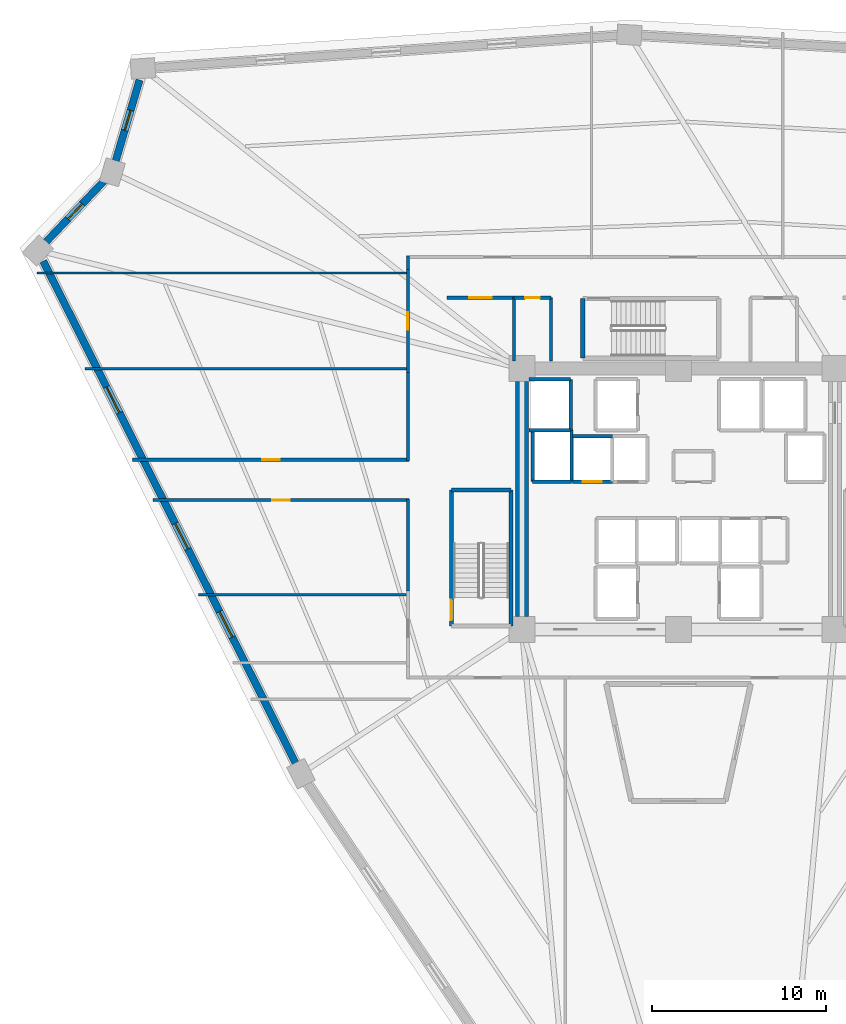
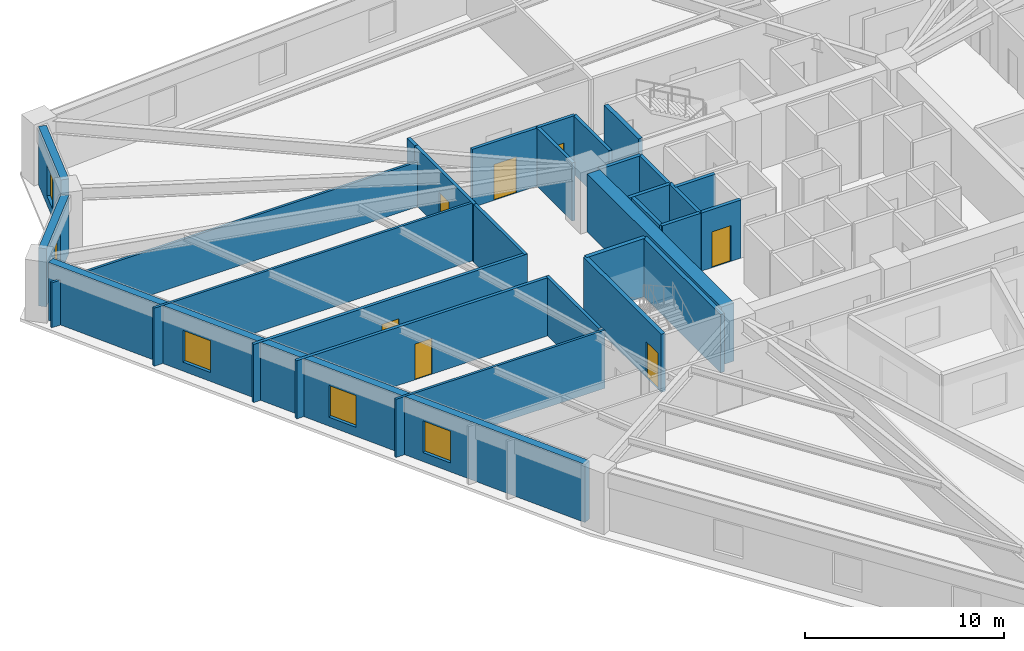
# One storey, part 4 of 9: 29 walls, 7 doors, 5 windows, 12 openings.
"""IFC4 building model written with IfcOpenShell, lengths in metres."""

from ifc_helpers import new_model, si_unit, direction, frame, frame_2d, origin, place, context, subcontext, project, spatial, rectangle, extrude, source, transform, mapped, material, layer, layer_set, type_object, element, fill, save


model = new_model("IFC4")

# Units and contexts
model_context = context("Model", 3, precision=1e-05, world=origin(), true_north=direction((0.0, 1.0)))
body_context = subcontext(model_context, "Body", "Model", "MODEL_VIEW")
ifc_project = project(units=[si_unit("LENGTHUNIT", "METRE"), si_unit("AREAUNIT", "SQUARE_METRE"), si_unit("VOLUMEUNIT", "CUBIC_METRE"), si_unit("PLANEANGLEUNIT", "RADIAN"), si_unit("MASSUNIT", "GRAM", prefix="KILO")], contexts=[model_context])

# Site, building, storey
site_placement = place(None, origin())
site = spatial("IfcSite", under=ifc_project, at=site_placement, CompositionType="ELEMENT")
building_placement = place(site_placement, origin())
building = spatial("IfcBuilding", under=site, at=building_placement, Name="Liaohun Quay Tower", CompositionType="ELEMENT")
storey_placement = place(building_placement, frame((0.0, 0.0, 102.0)))
storey = spatial("IfcBuildingStorey", under=building, at=storey_placement, Name="L26", CompositionType="ELEMENT", Elevation=102.0)

# Wall
ifc_material_1 = material(Name="Concrete C60", Category="concrete")
ifc_layer_1 = layer(ifc_material_1, 0.75, Name="Concrete C60", Category="concrete")
ifc_layer_set_1 = layer_set([ifc_layer_1], Name="Concrete C60")
wall_type_1 = type_object("IfcWallType", Name="WAL-COR-Z2", PredefinedType="SHEAR", material=ifc_layer_set_1)
wall_1_placement = place(storey_placement, frame((51.0, 47.25, 0.0), z_axis=(0.0, 0.0, 1.0), x_axis=(0.0, 1.0, 0.0)))
element("IfcWall", 1, at=wall_1_placement, inside=storey, type_object=wall_type_1, Name="L26 Central Core Shear Wall W", PredefinedType="SHEAR", context=body_context, shape_type="SweptSolid", body=[
    extrude(rectangle(XDim=13.5, YDim=0.75, at=frame_2d((6.75, 0.0))), origin(), (0.0, 0.0, 1.0), 3.570068359375),
])

# Wall, opening, window
ifc_material_2 = material(Name="Precast concrete C50 insulated sandwich", Category="concrete")
ifc_layer_2 = layer(ifc_material_2, 0.419921875, Name="Precast concrete C50 insulated sandwich", Category="concrete")
ifc_layer_set_2 = layer_set([ifc_layer_2], Name="Precast concrete C50 insulated sandwich")
wall_type_2 = type_object("IfcWallType", Name="WAL-EXT-Z12", PredefinedType="SOLIDWALL", material=ifc_layer_set_2)
wall_2_placement = place(storey_placement, frame((29.010986328125, 78.09912109375, 0.0), z_axis=(0.0, 0.0, 1.0), x_axis=(-0.28279156726, -0.959181385081, 0.0)))
wall_2 = element("IfcWall", 2, at=wall_2_placement, inside=storey, type_object=wall_type_2, Name="L26 Brutalist Precast Pier Wall 08", PredefinedType="SOLIDWALL", context=body_context, shape_type="SweptSolid", body=[
    extrude(rectangle(XDim=4.840576171875, YDim=0.419921875, at=frame_2d((2.42041015625, 0.0))), origin(), (0.0, 0.0, 1.0), 3.570068359375),
])
shared_shape_1 = source(origin(), body_context, "Body", "SweptSolid", [
    extrude(rectangle(XDim=1.199951171875, YDim=1.89990234375, at=frame_2d((0.60009765625, 0.949951171875))), frame((0.0, 0.219970703125, 0.0), z_axis=(0.0, -1.0, 0.0), x_axis=(1.0, 0.0, 0.0)), (0.0, 0.0, 1.0), 0.43994140625),
])
opening_1_placement = place(wall_2_placement, frame((1.820068359375, 0.0, 0.550048828125)))
opening_1 = element("IfcOpeningElement", 3, at=opening_1_placement, cuts=wall_2, Name="Opening W05", PredefinedType="OPENING", context=body_context, shape_type="MappedRepresentation", body=[
    mapped(shared_shape_1, transform((0.0, 0.0, 0.0), x_axis=(1.0, 0.0, 0.0), y_axis=(0.0, 1.0, 0.0), z_axis=(0.0, 0.0, 1.0), scale=1.0)),
])
ifc_material_3 = material(Name="Triple Low-E corner notch glazing", Category="glass")
window_type_1 = type_object("IfcWindowType", Name="WIN-NOTCH", PartitioningType="SINGLE_PANEL", PredefinedType="WINDOW", material=ifc_material_3)
shared_shape_2 = source(origin(), body_context, "Body", "SweptSolid", [
    extrude(rectangle(XDim=1.199951171875, YDim=1.89990234375, at=frame_2d((0.60009765625, 0.949951171875))), frame((0.0, 0.030029296875, 0.0), z_axis=(0.0, -1.0, 0.0), x_axis=(1.0, 0.0, 0.0)), (0.0, 0.0, 1.0), 0.06005859375),
])
window_1_placement = place(opening_1_placement, origin())
window_1 = element("IfcWindow", 4, at=window_1_placement, inside=storey, type_object=window_type_1, Name="L26 Corner Notch Window W05-08", OverallHeight=1.89990234375, OverallWidth=1.199951171875, PartitioningType="SINGLE_PANEL", PredefinedType="WINDOW", context=body_context, shape_type="MappedRepresentation", body=[
    mapped(shared_shape_2, transform((0.0, 0.0, 0.0), x_axis=(1.0, 0.0, 0.0), y_axis=(0.0, 1.0, 0.0), z_axis=(0.0, 0.0, 1.0), scale=1.0)),
])
fill(opening_1, window_1)

wall_3_placement = place(storey_placement, frame((26.970947265625, 72.2939453125, 0.0), z_axis=(0.0, 0.0, 1.0), x_axis=(-0.689306913108, -0.724469446934, 0.0)))
wall_3 = element("IfcWall", 5, at=wall_3_placement, inside=storey, type_object=wall_type_2, Name="L26 Brutalist Precast Pier Wall 09", PredefinedType="SOLIDWALL", context=body_context, shape_type="SweptSolid", body=[
    extrude(rectangle(XDim=4.83251953125, YDim=0.419921875, at=frame_2d((2.416259765625, 0.0))), origin(), (0.0, 0.0, 1.0), 3.570068359375),
])
opening_2_placement = place(wall_3_placement, frame((1.81591796875, 0.0, 0.550048828125)))
opening_2 = element("IfcOpeningElement", 6, at=opening_2_placement, cuts=wall_3, Name="Opening W05", PredefinedType="OPENING", context=body_context, shape_type="MappedRepresentation", body=[
    mapped(shared_shape_1, transform((0.0, 0.0, 0.0), x_axis=(1.0, 0.0, 0.0), y_axis=(0.0, 1.0, 0.0), z_axis=(0.0, 0.0, 1.0), scale=1.0)),
])
window_2_placement = place(opening_2_placement, origin())
window_2 = element("IfcWindow", 7, at=window_2_placement, inside=storey, type_object=window_type_1, Name="L26 Corner Notch Window W05-09", OverallHeight=1.89990234375, OverallWidth=1.199951171875, PartitioningType="SINGLE_PANEL", PredefinedType="WINDOW", context=body_context, shape_type="MappedRepresentation", body=[
    mapped(shared_shape_2, transform((0.0, 0.0, 0.0), x_axis=(1.0, 0.0, 0.0), y_axis=(0.0, 1.0, 0.0), z_axis=(0.0, 0.0, 1.0), scale=1.0)),
])
fill(opening_2, window_2)

# Wall, openings, windows
wall_4_placement = place(storey_placement, frame((23.47412109375, 67.677001953125, 0.0), z_axis=(0.0, 0.0, 1.0), x_axis=(0.44918995427, -0.893436279196, 0.0)))
wall_4 = element("IfcWall", 8, at=wall_4_placement, inside=storey, type_object=wall_type_2, Name="L26 Brutalist Precast Pier Wall 10", PredefinedType="SOLIDWALL", context=body_context, shape_type="SweptSolid", body=[
    extrude(rectangle(XDim=32.297607421875, YDim=0.419921875, at=frame_2d((16.14892578125, 0.0))), origin(), (0.0, 0.0, 1.0), 3.570068359375),
])
shared_shape_3 = source(origin(), body_context, "Body", "SweptSolid", [
    extrude(rectangle(XDim=1.64990234375, YDim=1.949951171875, at=frame_2d((0.824951171875, 0.97509765625))), frame((0.0, 0.219970703125, 0.0), z_axis=(0.0, -1.0, 0.0), x_axis=(1.0, 0.0, 0.0)), (0.0, 0.0, 1.0), 0.43994140625),
])
opening_3_placement = place(wall_4_placement, frame((8.09912109375, 0.0, 0.550048828125)))
opening_3 = element("IfcOpeningElement", 9, at=opening_3_placement, cuts=wall_4, Name="Opening W02", PredefinedType="OPENING", context=body_context, shape_type="MappedRepresentation", body=[
    mapped(shared_shape_3, transform((0.0, 0.0, 0.0), x_axis=(1.0, 0.0, 0.0), y_axis=(0.0, 1.0, 0.0), z_axis=(0.0, 0.0, 1.0), scale=1.0)),
])
opening_4_placement = place(wall_4_placement, frame((16.8740234375, 0.0, 0.550048828125)))
opening_4 = element("IfcOpeningElement", 10, at=opening_4_placement, cuts=wall_4, Name="Opening W02", PredefinedType="OPENING", context=body_context, shape_type="MappedRepresentation", body=[
    mapped(shared_shape_3, transform((0.0, 0.0, 0.0), x_axis=(1.0, 0.0, 0.0), y_axis=(0.0, 1.0, 0.0), z_axis=(0.0, 0.0, 1.0), scale=1.0)),
])
opening_5_placement = place(wall_4_placement, frame((22.548095703125, 0.0, 0.550048828125)))
opening_5 = element("IfcOpeningElement", 11, at=opening_5_placement, cuts=wall_4, Name="Opening W02", PredefinedType="OPENING", context=body_context, shape_type="MappedRepresentation", body=[
    mapped(shared_shape_3, transform((0.0, 0.0, 0.0), x_axis=(1.0, 0.0, 0.0), y_axis=(0.0, 1.0, 0.0), z_axis=(0.0, 0.0, 1.0), scale=1.0)),
])
ifc_material_4 = material(Name="Triple Low-E argon glazing in thermally broken aluminium", Category="aluminium")
window_type_2 = type_object("IfcWindowType", Name="WIN-PUN-Z2", PartitioningType="DOUBLE_PANEL_VERTICAL", PredefinedType="WINDOW", material=ifc_material_4)
shared_shape_4 = source(origin(), body_context, "Body", "SweptSolid", [
    extrude(rectangle(XDim=1.64990234375, YDim=1.949951171875, at=frame_2d((0.824951171875, 0.97509765625))), frame((0.0, 0.030029296875, 0.0), z_axis=(0.0, -1.0, 0.0), x_axis=(1.0, 0.0, 0.0)), (0.0, 0.0, 1.0), 0.06005859375),
])
window_3_placement = place(opening_3_placement, origin())
window_3 = element("IfcWindow", 12, at=window_3_placement, inside=storey, type_object=window_type_2, Name="L26 Recessed Cold-Climate Punched Window 10-1", OverallHeight=1.949951171875, OverallWidth=1.64990234375, PartitioningType="DOUBLE_PANEL_VERTICAL", PredefinedType="WINDOW", context=body_context, shape_type="MappedRepresentation", body=[
    mapped(shared_shape_4, transform((0.0, 0.0, 0.0), x_axis=(1.0, 0.0, 0.0), y_axis=(0.0, 1.0, 0.0), z_axis=(0.0, 0.0, 1.0), scale=1.0)),
])
fill(opening_3, window_3)
window_4_placement = place(opening_4_placement, origin())
window_4 = element("IfcWindow", 13, at=window_4_placement, inside=storey, type_object=window_type_2, Name="L26 Recessed Cold-Climate Punched Window 10-2", OverallHeight=1.949951171875, OverallWidth=1.64990234375, PartitioningType="DOUBLE_PANEL_VERTICAL", PredefinedType="WINDOW", context=body_context, shape_type="MappedRepresentation", body=[
    mapped(shared_shape_4, transform((0.0, 0.0, 0.0), x_axis=(1.0, 0.0, 0.0), y_axis=(0.0, 1.0, 0.0), z_axis=(0.0, 0.0, 1.0), scale=1.0)),
])
fill(opening_4, window_4)
window_5_placement = place(opening_5_placement, origin())
window_5 = element("IfcWindow", 14, at=window_5_placement, inside=storey, type_object=window_type_2, Name="L26 Recessed Cold-Climate Punched Window 10-3", OverallHeight=1.949951171875, OverallWidth=1.64990234375, PartitioningType="DOUBLE_PANEL_VERTICAL", PredefinedType="WINDOW", context=body_context, shape_type="MappedRepresentation", body=[
    mapped(shared_shape_4, transform((0.0, 0.0, 0.0), x_axis=(1.0, 0.0, 0.0), y_axis=(0.0, 1.0, 0.0), z_axis=(0.0, 0.0, 1.0), scale=1.0)),
])
fill(opening_5, window_5)

# Wall, opening, door
ifc_material_5 = material(Name="Autoclaved aerated concrete blockwork", Category="masonry")
ifc_layer_3 = layer(ifc_material_5, 0.179931640625, Name="Autoclaved aerated concrete blockwork", Category="masonry")
ifc_layer_set_3 = layer_set([ifc_layer_3], Name="Autoclaved aerated concrete blockwork")
wall_type_3 = type_object("IfcWallType", Name="WAL-PRT-COR", PredefinedType="PARTITIONING", material=ifc_layer_set_3)
wall_5_placement = place(storey_placement, frame((50.5400390625, 65.580078125, 0.0), z_axis=(0.0, 0.0, 1.0), x_axis=(1.0, 0.0, 0.0)))
wall_5 = element("IfcWall", 15, at=wall_5_placement, inside=storey, type_object=wall_type_3, Name="L26 Interior Partition Wall 006", PredefinedType="PARTITIONING", context=body_context, shape_type="SweptSolid", body=[
    extrude(rectangle(XDim=2.139892578125, YDim=0.179931640625, at=frame_2d((1.06982421875, 0.0))), origin(), (0.0, 0.0, 1.0), 3.570068359375),
])
shared_shape_5 = source(origin(), body_context, "Body", "SweptSolid", [
    extrude(rectangle(XDim=0.85009765625, YDim=2.10009765625, at=frame_2d((0.425048828125, 1.050048828125))), frame((0.0, 0.099853515625, 0.0), z_axis=(0.0, -1.0, 0.0), x_axis=(1.0, 0.0, 0.0)), (0.0, 0.0, 1.0), 0.199951171875),
])
opening_6_placement = place(wall_5_placement, frame((0.64501953125, 0.0, 0.0)))
opening_6 = element("IfcOpeningElement", 16, at=opening_6_placement, cuts=wall_5, Name="Opening AD1", PredefinedType="OPENING", context=body_context, shape_type="MappedRepresentation", body=[
    mapped(shared_shape_5, transform((0.0, 0.0, 0.0), x_axis=(1.0, 0.0, 0.0), y_axis=(0.0, 1.0, 0.0), z_axis=(0.0, 0.0, 1.0), scale=1.0)),
])
ifc_material_6 = material(Name="Steel riser inspection fire door", Category="steel")
door_type_1 = type_object("IfcDoorType", Name="DOR-SHF-850", OperationType="NOTDEFINED", PredefinedType="DOOR", material=ifc_material_6)
shared_shape_6 = source(origin(), body_context, "Body", "SweptSolid", [
    extrude(rectangle(XDim=0.85009765625, YDim=2.10009765625, at=frame_2d((0.425048828125, 1.050048828125))), frame((0.0, 0.02490234375, 0.0), z_axis=(0.0, -1.0, 0.0), x_axis=(1.0, 0.0, 0.0)), (0.0, 0.0, 1.0), 0.050048828125),
])
door_1_placement = place(opening_6_placement, origin())
door_1 = element("IfcDoor", 17, at=door_1_placement, inside=storey, type_object=door_type_1, Name="L26 North-West Supply Store Door", OperationType="SINGLE_SWING_RIGHT", OverallHeight=2.10009765625, OverallWidth=0.85009765625, PredefinedType="DOOR", context=body_context, shape_type="MappedRepresentation", body=[
    mapped(shared_shape_6, transform((0.0, 0.0, 0.0), x_axis=(1.0, 0.0, 0.0), y_axis=(0.0, 1.0, 0.0), z_axis=(0.0, 0.0, 1.0), scale=1.0)),
])
fill(opening_6, door_1)

wall_6_placement = place(storey_placement, frame((46.699951171875, 65.580078125, 0.0), z_axis=(0.0, 0.0, 1.0), x_axis=(1.0, 0.0, 0.0)))
wall_6 = element("IfcWall", 18, at=wall_6_placement, inside=storey, type_object=wall_type_3, Name="L26 Interior Partition Wall 008", PredefinedType="PARTITIONING", context=body_context, shape_type="SweptSolid", body=[
    extrude(rectangle(XDim=3.840087890625, YDim=0.179931640625, at=frame_2d((1.919921875, 0.0))), origin(), (0.0, 0.0, 1.0), 3.570068359375),
])
shared_shape_7 = source(origin(), body_context, "Body", "SweptSolid", [
    extrude(rectangle(XDim=1.300048828125, YDim=2.199951171875, at=frame_2d((0.64990234375, 1.10009765625))), frame((0.0, 0.099853515625, 0.0), z_axis=(0.0, -1.0, 0.0), x_axis=(1.0, 0.0, 0.0)), (0.0, 0.0, 1.0), 0.199951171875),
])
opening_7_placement = place(wall_6_placement, frame((1.27001953125, 0.0, 0.0)))
opening_7 = element("IfcOpeningElement", 19, at=opening_7_placement, cuts=wall_6, Name="Opening FD1", PredefinedType="OPENING", context=body_context, shape_type="MappedRepresentation", body=[
    mapped(shared_shape_7, transform((0.0, 0.0, 0.0), x_axis=(1.0, 0.0, 0.0), y_axis=(0.0, 1.0, 0.0), z_axis=(0.0, 0.0, 1.0), scale=1.0)),
])
ifc_material_7 = material(Name="Galvanised steel smokeproof fire door", Category="steel")
door_type_2 = type_object("IfcDoorType", Name="DOR-FFL-1300", OperationType="NOTDEFINED", PredefinedType="DOOR", material=ifc_material_7)
shared_shape_8 = source(origin(), body_context, "Body", "SweptSolid", [
    extrude(rectangle(XDim=1.300048828125, YDim=2.199951171875, at=frame_2d((0.64990234375, 1.10009765625))), frame((0.0, 0.02490234375, 0.0), z_axis=(0.0, -1.0, 0.0), x_axis=(1.0, 0.0, 0.0)), (0.0, 0.0, 1.0), 0.050048828125),
])
door_2_placement = place(opening_7_placement, origin())
door_2 = element("IfcDoor", 20, at=door_2_placement, inside=storey, type_object=door_type_2, Name="L26 West Core Vestibule Door", OperationType="SINGLE_SWING_RIGHT", OverallHeight=2.199951171875, OverallWidth=1.300048828125, PredefinedType="DOOR", context=body_context, shape_type="MappedRepresentation", body=[
    mapped(shared_shape_8, transform((0.0, 0.0, 0.0), x_axis=(1.0, 0.0, 0.0), y_axis=(0.0, 1.0, 0.0), z_axis=(0.0, 0.0, 1.0), scale=1.0)),
])
fill(opening_7, door_2)

wall_7_placement = place(storey_placement, frame((44.43994140625, 61.284912109375, 0.0), z_axis=(0.0, 0.0, 1.0), x_axis=(0.0, 1.0, 0.0)))
wall_7 = element("IfcWall", 21, at=wall_7_placement, inside=storey, type_object=wall_type_3, Name="L26 Interior Partition Wall 014", PredefinedType="PARTITIONING", context=body_context, shape_type="SweptSolid", body=[
    extrude(rectangle(XDim=5.93017578125, YDim=0.179931640625, at=frame_2d((2.965087890625, 0.0))), origin(), (0.0, 0.0, 1.0), 3.570068359375),
])
shared_shape_9 = source(origin(), body_context, "Body", "SweptSolid", [
    extrude(rectangle(XDim=1.0, YDim=2.199951171875, at=frame_2d((0.5, 1.10009765625))), frame((0.0, 0.099853515625, 0.0), z_axis=(0.0, -1.0, 0.0), x_axis=(1.0, 0.0, 0.0)), (0.0, 0.0, 1.0), 0.199951171875),
])
opening_8_placement = place(wall_7_placement, frame((2.465087890625, 0.0, 0.0)))
opening_8 = element("IfcOpeningElement", 22, at=opening_8_placement, cuts=wall_7, Name="Opening OD1", PredefinedType="OPENING", context=body_context, shape_type="MappedRepresentation", body=[
    mapped(shared_shape_9, transform((0.0, 0.0, 0.0), x_axis=(1.0, 0.0, 0.0), y_axis=(0.0, 1.0, 0.0), z_axis=(0.0, 0.0, 1.0), scale=1.0)),
])
ifc_material_8 = material(Name="Solid-core oak veneer timber leaf in steel frame", Category="steel")
door_type_3 = type_object("IfcDoorType", Name="DOR-OFF-1000", OperationType="NOTDEFINED", PredefinedType="DOOR", material=ifc_material_8)
shared_shape_10 = source(origin(), body_context, "Body", "SweptSolid", [
    extrude(rectangle(XDim=1.0, YDim=2.199951171875, at=frame_2d((0.5, 1.10009765625))), frame((0.0, 0.02490234375, 0.0), z_axis=(0.0, -1.0, 0.0), x_axis=(1.0, 0.0, 0.0)), (0.0, 0.0, 1.0), 0.050048828125),
])
door_3_placement = place(opening_8_placement, origin())
door_3 = element("IfcDoor", 23, at=door_3_placement, inside=storey, type_object=door_type_3, Name="L26 Corporate Exhibition Gallery 05 Door", OperationType="SINGLE_SWING_RIGHT", OverallHeight=2.199951171875, OverallWidth=1.0, PredefinedType="DOOR", context=body_context, shape_type="MappedRepresentation", body=[
    mapped(shared_shape_10, transform((0.0, 0.0, 0.0), x_axis=(1.0, 0.0, 0.0), y_axis=(0.0, 1.0, 0.0), z_axis=(0.0, 0.0, 1.0), scale=1.0)),
])
fill(opening_8, door_3)

wall_8_placement = place(storey_placement, frame((28.617919921875, 56.260009765625, 0.0), z_axis=(0.0, 0.0, 1.0), x_axis=(1.0, 0.0, 0.0)))
wall_8 = element("IfcWall", 24, at=wall_8_placement, inside=storey, type_object=wall_type_3, Name="L26 Interior Partition Wall 015", PredefinedType="PARTITIONING", context=body_context, shape_type="SweptSolid", body=[
    extrude(rectangle(XDim=15.89208984375, YDim=0.179931640625, at=frame_2d((7.946044921875, 0.0))), origin(), (0.0, 0.0, 1.0), 3.570068359375),
])
opening_9_placement = place(wall_8_placement, frame((7.446044921875, 0.0, 0.0)))
opening_9 = element("IfcOpeningElement", 25, at=opening_9_placement, cuts=wall_8, Name="Opening OD1", PredefinedType="OPENING", context=body_context, shape_type="MappedRepresentation", body=[
    mapped(shared_shape_9, transform((0.0, 0.0, 0.0), x_axis=(1.0, 0.0, 0.0), y_axis=(0.0, 1.0, 0.0), z_axis=(0.0, 0.0, 1.0), scale=1.0)),
])
door_4_placement = place(opening_9_placement, origin())
door_4 = element("IfcDoor", 26, at=door_4_placement, inside=storey, type_object=door_type_3, Name="L26 Staff Tea Kitchen and Pantry 06 Door", OperationType="SINGLE_SWING_LEFT", OverallHeight=2.199951171875, OverallWidth=1.0, PredefinedType="DOOR", context=body_context, shape_type="MappedRepresentation", body=[
    mapped(shared_shape_10, transform((0.0, 0.0, 0.0), x_axis=(1.0, 0.0, 0.0), y_axis=(0.0, 1.0, 0.0), z_axis=(0.0, 0.0, 1.0), scale=1.0)),
])
fill(opening_9, door_4)

wall_9_placement = place(storey_placement, frame((44.510009765625, 53.93994140625, 0.0), z_axis=(0.0, 0.0, 1.0), x_axis=(-1.0, 0.0, 0.0)))
wall_9 = element("IfcWall", 27, at=wall_9_placement, inside=storey, type_object=wall_type_3, Name="L26 Interior Partition Wall 016", PredefinedType="PARTITIONING", context=body_context, shape_type="SweptSolid", body=[
    extrude(rectangle(XDim=14.72509765625, YDim=0.179931640625, at=frame_2d((7.362548828125, 0.0))), origin(), (0.0, 0.0, 1.0), 3.570068359375),
])
opening_10_placement = place(wall_9_placement, frame((6.862060546875, 0.0, 0.0)))
opening_10 = element("IfcOpeningElement", 28, at=opening_10_placement, cuts=wall_9, Name="Opening OD1", PredefinedType="OPENING", context=body_context, shape_type="MappedRepresentation", body=[
    mapped(shared_shape_9, transform((0.0, 0.0, 0.0), x_axis=(1.0, 0.0, 0.0), y_axis=(0.0, 1.0, 0.0), z_axis=(0.0, 0.0, 1.0), scale=1.0)),
])
door_5_placement = place(opening_10_placement, origin())
door_5 = element("IfcDoor", 29, at=door_5_placement, inside=storey, type_object=door_type_3, Name="L26 Architectural Design Studio 07 Door", OperationType="SINGLE_SWING_RIGHT", OverallHeight=2.199951171875, OverallWidth=1.0, PredefinedType="DOOR", context=body_context, shape_type="MappedRepresentation", body=[
    mapped(shared_shape_10, transform((0.0, 0.0, 0.0), x_axis=(1.0, 0.0, 0.0), y_axis=(0.0, 1.0, 0.0), z_axis=(0.0, 0.0, 1.0), scale=1.0)),
])
fill(opening_10, door_5)

# Walls
for number, where, z_axis, x_axis, name in (
    (30, (50.5400390625, 61.949951171875, 0.0), (0.0, 0.0, 1.0), (0.0, 1.0, 0.0), "L26 Interior Partition Wall 032"),
    (31, (52.679931640625, 61.949951171875, 0.0), (0.0, 0.0, 1.0), (0.0, 1.0, 0.0), "L26 Interior Partition Wall 033"),
):
    element("IfcWall", number, at=place(storey_placement, frame(where, z_axis=z_axis, x_axis=x_axis)), inside=storey, type_object=wall_type_3, Name=name, PredefinedType="PARTITIONING", context=body_context, shape_type="SweptSolid", body=[
        extrude(rectangle(XDim=3.630126953125, YDim=0.179931640625, at=frame_2d((1.81494140625, 0.0))), origin(), (0.0, 0.0, 1.0), 3.570068359375),
    ])
wall_10_placement = place(storey_placement, frame((44.43994140625, 67.215087890625, 0.0), z_axis=(0.0, 0.0, 1.0), x_axis=(0.0, 1.0, 0.0)))
element("IfcWall", 32, at=wall_10_placement, inside=storey, type_object=wall_type_3, Name="L26 Interior Partition Wall 038", PredefinedType="PARTITIONING", context=body_context, shape_type="SweptSolid", body=[
    extrude(rectangle(XDim=0.764892578125, YDim=0.179931640625, at=frame_2d((0.38232421875, 0.0))), origin(), (0.0, 0.0, 1.0), 3.570068359375),
])
wall_11_placement = place(storey_placement, frame((44.43994140625, 56.18994140625, 0.0), z_axis=(0.0, 0.0, 1.0), x_axis=(0.0, 1.0, 0.0)))
element("IfcWall", 33, at=wall_11_placement, inside=storey, type_object=wall_type_3, Name="L26 Interior Partition Wall 039", PredefinedType="PARTITIONING", context=body_context, shape_type="SweptSolid", body=[
    extrude(rectangle(XDim=5.094970703125, YDim=0.179931640625, at=frame_2d((2.54736328125, 0.0))), origin(), (0.0, 0.0, 1.0), 3.570068359375),
])
wall_12_placement = place(storey_placement, frame((44.43994140625, 48.715087890625, 0.0), z_axis=(0.0, 0.0, 1.0), x_axis=(0.0, 1.0, 0.0)))
element("IfcWall", 34, at=wall_12_placement, inside=storey, type_object=wall_type_3, Name="L26 Interior Partition Wall 040", PredefinedType="PARTITIONING", context=body_context, shape_type="SweptSolid", body=[
    extrude(rectangle(XDim=5.294921875, YDim=0.179931640625, at=frame_2d((2.6474609375, 0.0))), origin(), (0.0, 0.0, 1.0), 3.570068359375),
])
ifc_material_9 = material(Name="Gypsum board on twin steel studs", Category="steel")
ifc_layer_4 = layer(ifc_material_9, 0.139892578125, Name="Gypsum board on twin steel studs", Category="steel")
ifc_layer_set_4 = layer_set([ifc_layer_4], Name="Gypsum board on twin steel studs")
wall_type_4 = type_object("IfcWallType", Name="WAL-PRT-OFF", PredefinedType="PARTITIONING", material=ifc_layer_set_4)
wall_13_placement = place(storey_placement, frame((44.5400390625, 48.5, 0.0), z_axis=(0.0, 0.0, 1.0), x_axis=(-1.0, 0.0, 0.0)))
element("IfcWall", 35, at=wall_13_placement, inside=storey, type_object=wall_type_4, Name="L26 Interior Partition Wall 046", PredefinedType="PARTITIONING", context=body_context, shape_type="SweptSolid", body=[
    extrude(rectangle(XDim=12.129150390625, YDim=0.139892578125, at=frame_2d((6.064453125, 0.0))), origin(), (0.0, 0.0, 1.0), 3.570068359375),
])
wall_14_placement = place(storey_placement, frame((44.5400390625, 61.5, 0.0), z_axis=(0.0, 0.0, 1.0), x_axis=(-1.0, 0.0, 0.0)))
element("IfcWall", 36, at=wall_14_placement, inside=storey, type_object=wall_type_4, Name="L26 Interior Partition Wall 047", PredefinedType="PARTITIONING", context=body_context, shape_type="SweptSolid", body=[
    extrude(rectangle(XDim=18.6650390625, YDim=0.139892578125, at=frame_2d((9.33251953125, 0.0))), origin(), (0.0, 0.0, 1.0), 3.570068359375),
])
wall_15_placement = place(storey_placement, frame((44.5400390625, 67.0, 0.0), z_axis=(0.0, 0.0, 1.0), x_axis=(-1.0, 0.0, 0.0)))
element("IfcWall", 37, at=wall_15_placement, inside=storey, type_object=wall_type_4, Name="L26 Interior Partition Wall 048", PredefinedType="PARTITIONING", context=body_context, shape_type="SweptSolid", body=[
    extrude(rectangle(XDim=21.43115234375, YDim=0.139892578125, at=frame_2d((10.715576171875, 0.0))), origin(), (0.0, 0.0, 1.0), 2.7548828125),
])
ifc_material_10 = material(Name="Concrete C50", Category="concrete")
ifc_layer_5 = layer(ifc_material_10, 0.239990234375, Name="Concrete C50", Category="concrete")
ifc_layer_set_5 = layer_set([ifc_layer_5], Name="Concrete C50")
wall_type_5 = type_object("IfcWallType", Name="WAL-SHF-200", PredefinedType="SOLIDWALL", material=ifc_layer_set_5)
wall_16_placement = place(storey_placement, frame((50.3798828125, 46.699951171875, 0.0), z_axis=(0.0, 0.0, 1.0), x_axis=(0.0, 1.0, 0.0)))
element("IfcWall", 38, at=wall_16_placement, inside=storey, type_object=wall_type_5, Name="L26 Stairwell ST-1 Structural Core Wall E", PredefinedType="SOLIDWALL", context=body_context, shape_type="SweptSolid", body=[
    extrude(rectangle(XDim=7.820068359375, YDim=0.239990234375, at=frame_2d((3.91015625, 0.0))), origin(), (0.0, 0.0, 1.0), 3.570068359375),
])
wall_17_placement = place(storey_placement, frame((50.3798828125, 54.52001953125, 0.0), z_axis=(0.0, 0.0, 1.0), x_axis=(-1.0, 0.0, 0.0)))
element("IfcWall", 39, at=wall_17_placement, inside=storey, type_object=wall_type_5, Name="L26 Stairwell ST-1 Structural Core Wall N", PredefinedType="SOLIDWALL", context=body_context, shape_type="SweptSolid", body=[
    extrude(rectangle(XDim=3.43994140625, YDim=0.239990234375, at=frame_2d((1.719970703125, 0.0))), origin(), (0.0, 0.0, 1.0), 3.570068359375),
])

# Wall, opening, door
wall_18_placement = place(storey_placement, frame((46.93994140625, 54.52001953125, 0.0), z_axis=(0.0, 0.0, 1.0), x_axis=(0.0, -1.0, 0.0)))
wall_18 = element("IfcWall", 40, at=wall_18_placement, inside=storey, type_object=wall_type_5, Name="L26 Stairwell ST-1 Structural Core Wall W", PredefinedType="SOLIDWALL", context=body_context, shape_type="SweptSolid", body=[
    extrude(rectangle(XDim=7.820068359375, YDim=0.239990234375, at=frame_2d((3.91015625, 0.0))), origin(), (0.0, 0.0, 1.0), 3.570068359375),
])
shared_shape_11 = source(origin(), body_context, "Body", "SweptSolid", [
    extrude(rectangle(XDim=1.199951171875, YDim=2.199951171875, at=frame_2d((0.60009765625, 1.10009765625))), frame((0.0, 0.1298828125, 0.0), z_axis=(0.0, -1.0, 0.0), x_axis=(1.0, 0.0, 0.0)), (0.0, 0.0, 1.0), 0.260009765625),
])
opening_11_placement = place(wall_18_placement, frame((6.300048828125, 0.0, 0.0)))
opening_11 = element("IfcOpeningElement", 41, at=opening_11_placement, cuts=wall_18, Name="Opening SD1", PredefinedType="OPENING", context=body_context, shape_type="MappedRepresentation", body=[
    mapped(shared_shape_11, transform((0.0, 0.0, 0.0), x_axis=(1.0, 0.0, 0.0), y_axis=(0.0, 1.0, 0.0), z_axis=(0.0, 0.0, 1.0), scale=1.0)),
])
ifc_material_11 = material(Name="Galvanised steel fire door", Category="steel")
door_type_4 = type_object("IfcDoorType", Name="DOR-STR-1200", OperationType="NOTDEFINED", PredefinedType="DOOR", material=ifc_material_11)
shared_shape_12 = source(origin(), body_context, "Body", "SweptSolid", [
    extrude(rectangle(XDim=1.199951171875, YDim=2.199951171875, at=frame_2d((0.60009765625, 1.10009765625))), frame((0.0, 0.02490234375, 0.0), z_axis=(0.0, -1.0, 0.0), x_axis=(1.0, 0.0, 0.0)), (0.0, 0.0, 1.0), 0.050048828125),
])
door_6_placement = place(opening_11_placement, origin())
door_6 = element("IfcDoor", 42, at=door_6_placement, inside=storey, type_object=door_type_4, Name="L26 Protected Stair ST-1 Fire Door", OperationType="SINGLE_SWING_LEFT", OverallHeight=2.199951171875, OverallWidth=1.199951171875, PredefinedType="DOOR", context=body_context, shape_type="MappedRepresentation", body=[
    mapped(shared_shape_12, transform((0.0, 0.0, 0.0), x_axis=(1.0, 0.0, 0.0), y_axis=(0.0, 1.0, 0.0), z_axis=(0.0, 0.0, 1.0), scale=1.0)),
])
fill(opening_11, door_6)

# Walls
wall_19_placement = place(storey_placement, frame((54.5, 65.5400390625, 0.0), z_axis=(0.0, 0.0, 1.0), x_axis=(0.0, -1.0, 0.0)))
element("IfcWall", 43, at=wall_19_placement, inside=storey, type_object=wall_type_5, Name="L26 Stairwell ST-3 Structural Core Wall W", PredefinedType="SOLIDWALL", context=body_context, shape_type="SweptSolid", body=[
    extrude(rectangle(XDim=3.43994140625, YDim=0.239990234375, at=frame_2d((1.719970703125, 0.0))), origin(), (0.0, 0.0, 1.0), 3.570068359375),
])
wall_20_placement = place(storey_placement, frame((51.39990234375, 57.949951171875, 0.0), z_axis=(0.0, 0.0, 1.0), x_axis=(1.0, 0.0, 0.0)))
element("IfcWall", 44, at=wall_20_placement, inside=storey, type_object=wall_type_5, Name="L26 Lift SH-01 Hoistway Wall S", PredefinedType="SOLIDWALL", context=body_context, shape_type="SweptSolid", body=[
    extrude(rectangle(XDim=2.400146484375, YDim=0.199951171875, at=frame_2d((1.2001953125, 0.0))), origin(), (0.0, 0.0, 1.0), 3.570068359375),
])
wall_21_placement = place(storey_placement, frame((53.800048828125, 57.949951171875, 0.0), z_axis=(0.0, 0.0, 1.0), x_axis=(0.0, 1.0, 0.0)))
element("IfcWall", 45, at=wall_21_placement, inside=storey, type_object=wall_type_5, Name="L26 Lift SH-01 Hoistway Wall E", PredefinedType="SOLIDWALL", context=body_context, shape_type="SweptSolid", body=[
    extrude(rectangle(XDim=2.929931640625, YDim=0.199951171875, at=frame_2d((1.46484375, 0.0))), origin(), (0.0, 0.0, 1.0), 3.570068359375),
])
wall_22_placement = place(storey_placement, frame((53.800048828125, 60.8798828125, 0.0), z_axis=(0.0, 0.0, 1.0), x_axis=(-1.0, 0.0, 0.0)))
element("IfcWall", 46, at=wall_22_placement, inside=storey, type_object=wall_type_5, Name="L26 Lift SH-01 Hoistway Wall N", PredefinedType="SOLIDWALL", context=body_context, shape_type="SweptSolid", body=[
    extrude(rectangle(XDim=2.400146484375, YDim=0.199951171875, at=frame_2d((1.2001953125, 0.0))), origin(), (0.0, 0.0, 1.0), 3.570068359375),
])
wall_23_placement = place(storey_placement, frame((51.6201171875, 55.0, 0.0), z_axis=(0.0, 0.0, 1.0), x_axis=(1.0, 0.0, 0.0)))
element("IfcWall", 47, at=wall_23_placement, inside=storey, type_object=wall_type_5, Name="L26 Lift SH-02 Hoistway Wall S", PredefinedType="SOLIDWALL", context=body_context, shape_type="SweptSolid", body=[
    extrude(rectangle(XDim=2.22998046875, YDim=0.199951171875, at=frame_2d((1.114990234375, 0.0))), origin(), (0.0, 0.0, 1.0), 3.570068359375),
])
for number, where, z_axis, x_axis, name in (
    (48, (53.85009765625, 55.0, 0.0), (0.0, 0.0, 1.0), (0.0, 1.0, 0.0), "L26 Lift SH-02 Hoistway Wall E"),
    (49, (51.6201171875, 58.0, 0.0), (0.0, 0.0, 1.0), (0.0, -1.0, 0.0), "L26 Lift SH-02 Hoistway Wall W"),
):
    element("IfcWall", number, at=place(storey_placement, frame(where, z_axis=z_axis, x_axis=x_axis)), inside=storey, type_object=wall_type_5, Name=name, PredefinedType="SOLIDWALL", context=body_context, shape_type="SweptSolid", body=[
        extrude(rectangle(XDim=3.0, YDim=0.199951171875, at=frame_2d((1.5, 0.0))), origin(), (0.0, 0.0, 1.0), 3.570068359375),
    ])

# Wall, opening, door
wall_24_placement = place(storey_placement, frame((53.89990234375, 55.0, 0.0), z_axis=(0.0, 0.0, 1.0), x_axis=(1.0, 0.0, 0.0)))
wall_24 = element("IfcWall", 50, at=wall_24_placement, inside=storey, type_object=wall_type_5, Name="L26 Lift PL-2B Hoistway Wall S", PredefinedType="SOLIDWALL", context=body_context, shape_type="SweptSolid", body=[
    extrude(rectangle(XDim=2.300048828125, YDim=0.199951171875, at=frame_2d((1.14990234375, 0.0))), origin(), (0.0, 0.0, 1.0), 3.570068359375),
])
shared_shape_13 = source(origin(), body_context, "Body", "SweptSolid", [
    extrude(rectangle(XDim=1.10009765625, YDim=2.199951171875, at=frame_2d((0.550048828125, 1.10009765625))), frame((0.0, 0.10986328125, 0.0), z_axis=(0.0, -1.0, 0.0), x_axis=(1.0, 0.0, 0.0)), (0.0, 0.0, 1.0), 0.219970703125),
])
opening_12_placement = place(wall_24_placement, frame((0.60009765625, 0.0, 0.0)))
opening_12 = element("IfcOpeningElement", 51, at=opening_12_placement, cuts=wall_24, Name="Opening LD1", PredefinedType="OPENING", context=body_context, shape_type="MappedRepresentation", body=[
    mapped(shared_shape_13, transform((0.0, 0.0, 0.0), x_axis=(1.0, 0.0, 0.0), y_axis=(0.0, 1.0, 0.0), z_axis=(0.0, 0.0, 1.0), scale=1.0)),
])
ifc_material_12 = material(Name="Brushed stainless steel landing door", Category="steel")
door_type_5 = type_object("IfcDoorType", Name="DOR-LFT-1100", OperationType="SLIDING_TO_LEFT", PredefinedType="DOOR", material=ifc_material_12)
shared_shape_14 = source(origin(), body_context, "Body", "SweptSolid", [
    extrude(rectangle(XDim=1.10009765625, YDim=2.199951171875, at=frame_2d((0.550048828125, 1.10009765625))), frame((0.0, 0.02490234375, 0.0), z_axis=(0.0, -1.0, 0.0), x_axis=(1.0, 0.0, 0.0)), (0.0, 0.0, 1.0), 0.050048828125),
])
door_7_placement = place(opening_12_placement, origin())
door_7 = element("IfcDoor", 52, at=door_7_placement, inside=storey, type_object=door_type_5, Name="L26 Lift PL-2B Sliding Landing Door", OperationType="SLIDING_TO_LEFT", OverallHeight=2.199951171875, OverallWidth=1.10009765625, PredefinedType="DOOR", context=body_context, shape_type="MappedRepresentation", body=[
    mapped(shared_shape_14, transform((0.0, 0.0, 0.0), x_axis=(1.0, 0.0, 0.0), y_axis=(0.0, 1.0, 0.0), z_axis=(0.0, 0.0, 1.0), scale=1.0)),
])
fill(opening_12, door_7)

# Wall
wall_25_placement = place(storey_placement, frame((56.199951171875, 57.60009765625, 0.0), z_axis=(0.0, 0.0, 1.0), x_axis=(-1.0, 0.0, 0.0)))
element("IfcWall", 53, at=wall_25_placement, inside=storey, type_object=wall_type_5, Name="L26 Lift PL-2B Hoistway Wall N", PredefinedType="SOLIDWALL", context=body_context, shape_type="SweptSolid", body=[
    extrude(rectangle(XDim=2.300048828125, YDim=0.199951171875, at=frame_2d((1.14990234375, 0.0))), origin(), (0.0, 0.0, 1.0), 3.570068359375),
])

save(model, "model.ifc")
